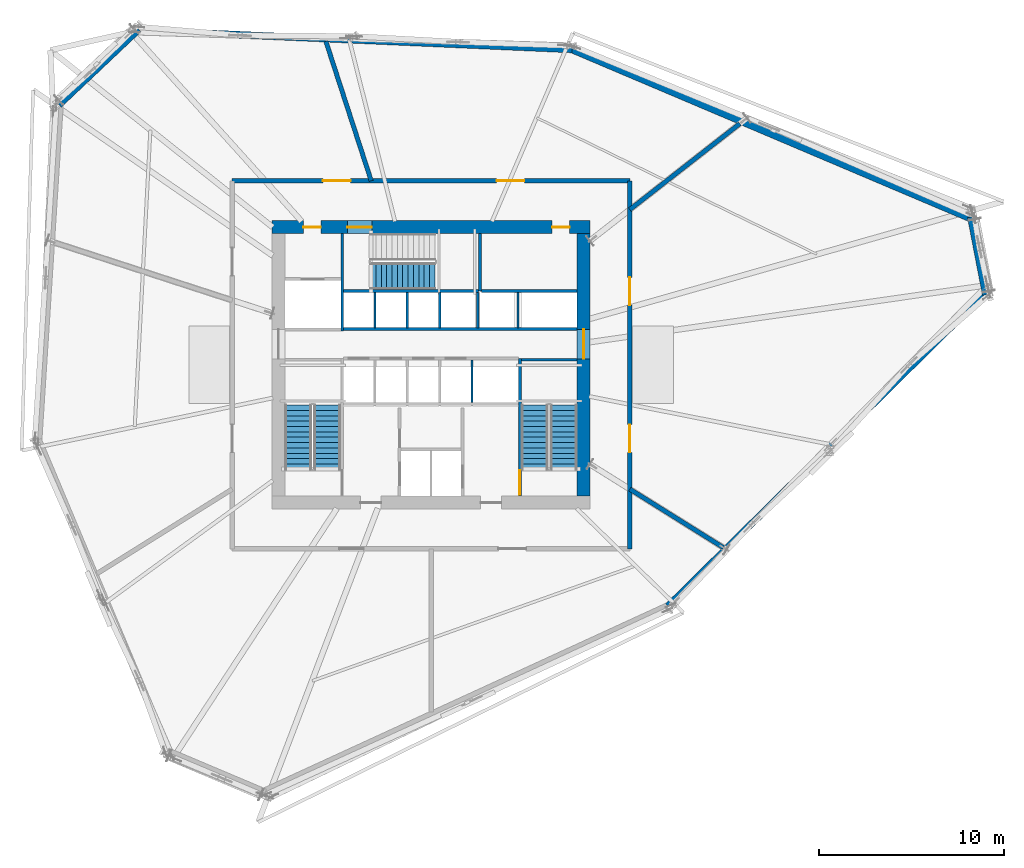
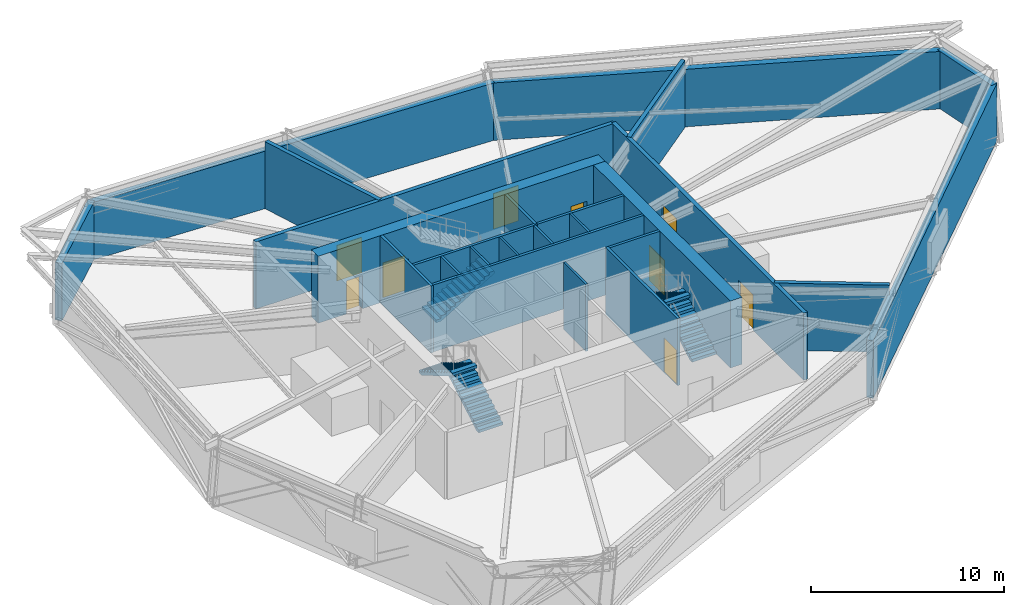
# One storey, part 10 of 15: 25 walls, 9 doors, 5 stair flights, 9 openings, 3 elements without a shape of their own.
"""IFC4 building model written with IfcOpenShell, lengths in metres."""

from ifc_helpers import new_model, si_unit, direction, frame, frame_2d, origin, place, context, subcontext, project, spatial, polyline, rectangle, outline, extrude, source, transform, mapped, material, layer, layer_set, type_object, type_shapes, element, fill, aggregate, save


model = new_model("IFC4")

# Units and contexts
model_context = context("Model", 3, precision=1e-05, world=origin(), true_north=direction((0.0, 1.0)))
body_context = subcontext(model_context, "Body", "Model", "MODEL_VIEW")
ifc_project = project(units=[si_unit("LENGTHUNIT", "METRE"), si_unit("AREAUNIT", "SQUARE_METRE"), si_unit("VOLUMEUNIT", "CUBIC_METRE"), si_unit("PLANEANGLEUNIT", "RADIAN"), si_unit("MASSUNIT", "GRAM", prefix="KILO")], contexts=[model_context])

# Site, building, storey
site_placement = place(None, origin())
site = spatial("IfcSite", under=ifc_project, at=site_placement, CompositionType="ELEMENT")
building_placement = place(site_placement, origin())
building = spatial("IfcBuilding", under=site, at=building_placement, Name="Olszyna Solenne Hotel", CompositionType="ELEMENT")
storey_placement = place(building_placement, frame((0.0, 0.0, 79.89990234375)))
storey = spatial("IfcBuildingStorey", under=building, at=storey_placement, Name="L20", CompositionType="ELEMENT", Elevation=79.89990234375)

# Wall, openings, doors
ifc_material_1 = material(Name="Concrete C60/75", Category="concrete")
ifc_layer_1 = layer(ifc_material_1, 0.699951171875, Name="Concrete C60/75")
ifc_layer_set_1 = layer_set([ifc_layer_1], Name="Concrete C60/75")
wall_type_1 = type_object("IfcWallType", Name="WL-CR700", PredefinedType="SHEAR", material=ifc_layer_set_1)
wall_1_placement = place(storey_placement, frame((29.39990234375, 34.050048828125, 0.0), z_axis=(0.0, 0.0, 1.0), x_axis=(1.0, 0.0, 0.0)))
wall_1 = element("IfcWall", 1, at=wall_1_placement, inside=storey, type_object=wall_type_1, Name="Core shear wall WL-CR700 CRW-L20-N", PredefinedType="SHEAR", context=body_context, shape_type="SweptSolid", body=[
    extrude(rectangle(XDim=17.2001953125, YDim=0.699951171875, at=frame_2d((8.60009765625, 0.0))), origin(), (0.0, 0.0, 1.0), 4.25),
])
opening_1_placement = place(wall_1_placement, frame((1.699951171875, 0.0, 0.0)))
opening_1 = element("IfcOpeningElement", 2, at=opening_1_placement, cuts=wall_1, Name="Opening SVD-L20-01", PredefinedType="OPENING", context=body_context, shape_type="SweptSolid", body=[
    extrude(rectangle(XDim=0.949951171875, YDim=2.10009765625, at=frame_2d((0.47509765625, 1.050048828125))), frame((0.0, 0.35986328125, 0.0), z_axis=(0.0, -1.0, 0.0), x_axis=(1.0, 0.0, 0.0)), (0.0, 0.0, 1.0), 0.719970703125),
])
opening_2_placement = place(wall_1_placement, frame((4.080078125, 0.0, 0.0)))
opening_2 = element("IfcOpeningElement", 3, at=opening_2_placement, cuts=wall_1, Name="Opening STD-L20-03", PredefinedType="OPENING", context=body_context, shape_type="SweptSolid", body=[
    extrude(rectangle(XDim=1.320068359375, YDim=2.199951171875, at=frame_2d((0.66015625, 1.10009765625))), frame((0.0, 0.35986328125, 0.0), z_axis=(0.0, -1.0, 0.0), x_axis=(1.0, 0.0, 0.0)), (0.0, 0.0, 1.0), 0.719970703125),
])
opening_3_placement = place(wall_1_placement, frame((15.14990234375, 0.0, 0.0)))
opening_3 = element("IfcOpeningElement", 4, at=opening_3_placement, cuts=wall_1, Name="Opening SVD-L20-BN", PredefinedType="OPENING", context=body_context, shape_type="SweptSolid", body=[
    extrude(rectangle(XDim=0.949951171875, YDim=2.10009765625, at=frame_2d((0.47509765625, 1.050048828125))), frame((0.0, 0.35986328125, 0.0), z_axis=(0.0, -1.0, 0.0), x_axis=(1.0, 0.0, 0.0)), (0.0, 0.0, 1.0), 0.719970703125),
])
ifc_material_2 = material(Name="Steel S355J2", Category="steel")
door_type_1 = type_object("IfcDoorType", Name="DR-ST1", OperationType="NOTDEFINED", PredefinedType="DOOR", material=ifc_material_2)
shared_shape_1 = source(origin(), body_context, "Body", "SweptSolid", [
    extrude(rectangle(XDim=1.320068359375, YDim=2.199951171875, at=frame_2d((0.66015625, 1.10009765625))), frame((0.0, 0.02490234375, 0.0), z_axis=(0.0, -1.0, 0.0), x_axis=(1.0, 0.0, 0.0)), (0.0, 0.0, 1.0), 0.050048828125),
])
type_shapes(door_type_1, [shared_shape_1])
door_1_placement = place(opening_2_placement, origin())
door_1 = element("IfcDoor", 5, at=door_1_placement, inside=storey, type_object=door_type_1, Name="Pressurised exit stair ST3 fire door STD-L20-03", OperationType="SINGLE_SWING_RIGHT", OverallHeight=2.199951171875, OverallWidth=1.320068359375, PredefinedType="DOOR", context=body_context, shape_type="MappedRepresentation", body=[
    mapped(shared_shape_1, transform((0.0, 0.0, 0.0), x_axis=(1.0, 0.0, 0.0), y_axis=(0.0, 1.0, 0.0), z_axis=(0.0, 0.0, 1.0), scale=1.0)),
])
fill(opening_2, door_1)
door_type_2 = type_object("IfcDoorType", Name="DR-SV1", OperationType="NOTDEFINED", PredefinedType="DOOR", material=ifc_material_2)
shared_shape_2 = source(origin(), body_context, "Body", "SweptSolid", [
    extrude(rectangle(XDim=0.949951171875, YDim=2.10009765625, at=frame_2d((0.47509765625, 1.050048828125))), frame((0.0, 0.02490234375, 0.0), z_axis=(0.0, -1.0, 0.0), x_axis=(1.0, 0.0, 0.0)), (0.0, 0.0, 1.0), 0.050048828125),
])
type_shapes(door_type_2, [shared_shape_2])
door_2_placement = place(opening_1_placement, origin())
door_2 = element("IfcDoor", 6, at=door_2_placement, inside=storey, type_object=door_type_2, Name="Service lift lobby fire door SVD-L20-01", OperationType="SINGLE_SWING_LEFT", OverallHeight=2.10009765625, OverallWidth=0.949951171875, PredefinedType="DOOR", context=body_context, shape_type="MappedRepresentation", body=[
    mapped(shared_shape_2, transform((0.0, 0.0, 0.0), x_axis=(1.0, 0.0, 0.0), y_axis=(0.0, 1.0, 0.0), z_axis=(0.0, 0.0, 1.0), scale=1.0)),
])
fill(opening_1, door_2)
door_3_placement = place(opening_3_placement, origin())
door_3 = element("IfcDoor", 7, at=door_3_placement, inside=storey, type_object=door_type_2, Name="Housekeeping core fire door SVD-L20-BN", OperationType="SINGLE_SWING_LEFT", OverallHeight=2.10009765625, OverallWidth=0.949951171875, PredefinedType="DOOR", context=body_context, shape_type="MappedRepresentation", body=[
    mapped(shared_shape_2, transform((0.0, 0.0, 0.0), x_axis=(1.0, 0.0, 0.0), y_axis=(0.0, 1.0, 0.0), z_axis=(0.0, 0.0, 1.0), scale=1.0)),
])
fill(opening_3, door_3)

# Wall, opening, door
wall_2_placement = place(storey_placement, frame((46.25, 33.699951171875, 0.0), z_axis=(0.0, 0.0, 1.0), x_axis=(0.0, -1.0, 0.0)))
wall_2 = element("IfcWall", 8, at=wall_2_placement, inside=storey, type_object=wall_type_1, Name="Core shear wall WL-CR700 CRW-L20-E", PredefinedType="SHEAR", context=body_context, shape_type="SweptSolid", body=[
    extrude(rectangle(XDim=14.199951171875, YDim=0.699951171875, at=frame_2d((7.10009765625, 0.0))), origin(), (0.0, 0.0, 1.0), 4.25),
])
opening_4_placement = place(wall_2_placement, frame((5.179931640625, 0.0, 0.0)))
opening_4 = element("IfcOpeningElement", 9, at=opening_4_placement, cuts=wall_2, Name="Opening LHD-L20-E", PredefinedType="OPENING", context=body_context, shape_type="SweptSolid", body=[
    extrude(rectangle(XDim=1.60009765625, YDim=2.199951171875, at=frame_2d((0.800048828125, 1.10009765625))), frame((0.0, 0.35986328125, 0.0), z_axis=(0.0, -1.0, 0.0), x_axis=(1.0, 0.0, 0.0)), (0.0, 0.0, 1.0), 0.719970703125),
])
ifc_material_3 = material(Name="Timber hardwood", Category="wood")
door_type_3 = type_object("IfcDoorType", Name="DR-CR1", OperationType="DOUBLE_DOOR_SINGLE_SWING", PredefinedType="DOOR", material=ifc_material_3)
shared_shape_3 = source(origin(), body_context, "Body", "SweptSolid", [
    extrude(rectangle(XDim=1.60009765625, YDim=2.199951171875, at=frame_2d((0.800048828125, 1.10009765625))), frame((0.0, 0.02490234375, 0.0), z_axis=(0.0, -1.0, 0.0), x_axis=(1.0, 0.0, 0.0)), (0.0, 0.0, 1.0), 0.050048828125),
])
type_shapes(door_type_3, [shared_shape_3])
door_4_placement = place(opening_4_placement, origin())
door_4 = element("IfcDoor", 10, at=door_4_placement, inside=storey, type_object=door_type_3, Name="Passenger lift lobby East fire door LHD-L20-E", OperationType="DOUBLE_DOOR_SINGLE_SWING", OverallHeight=2.199951171875, OverallWidth=1.60009765625, PredefinedType="DOOR", context=body_context, shape_type="MappedRepresentation", body=[
    mapped(shared_shape_3, transform((0.0, 0.0, 0.0), x_axis=(1.0, 0.0, 0.0), y_axis=(0.0, 1.0, 0.0), z_axis=(0.0, 0.0, 1.0), scale=1.0)),
])
fill(opening_4, door_4)

# Walls
ifc_material_4 = material(Name="Terracotta cladding on precast concrete C45/55", Category="masonry")
ifc_layer_2 = layer(ifc_material_4, 0.3798828125, Name="Terracotta cladding on precast concrete C45/55")
ifc_layer_set_2 = layer_set([ifc_layer_2], Name="Terracotta cladding on precast concrete C45/55")
wall_type_2 = type_object("IfcWallType", Name="WL-EX380", PredefinedType="SOLIDWALL", material=ifc_layer_set_2)
wall_3_placement = place(storey_placement, frame((17.87353515625, 40.668212890625, 0.0), z_axis=(0.0, 0.0, 1.0), x_axis=(0.726536612443, 0.687127754336, 0.0)))
element("IfcWall", 11, at=wall_3_placement, inside=storey, type_object=wall_type_2, Name="Exterior terracotta-precast frame wall WL-EX380 EW-L20-05", PredefinedType="SOLIDWALL", context=body_context, shape_type="SweptSolid", body=[
    extrude(rectangle(XDim=5.941162109375, YDim=0.3798828125, at=frame_2d((2.970703125, 0.0))), origin(), (0.0, 0.0, 1.0), 3.64208984375),
])
wall_4_placement = place(storey_placement, frame((22.051025390625, 44.698486328125, 0.0), z_axis=(0.0, 0.0, 1.0), x_axis=(0.999039086375, -0.043828117637, 0.0)))
element("IfcWall", 12, at=wall_4_placement, inside=storey, type_object=wall_type_2, Name="Exterior terracotta-precast frame wall WL-EX380 EW-L20-06", PredefinedType="SOLIDWALL", context=body_context, shape_type="SweptSolid", body=[
    extrude(rectangle(XDim=23.607421875, YDim=0.3798828125, at=frame_2d((11.8037109375, 0.0))), origin(), (0.0, 0.0, 1.0), 3.64208984375),
])
wall_5_placement = place(storey_placement, frame((45.56982421875, 43.6787109375, 0.0), z_axis=(0.0, 0.0, 1.0), x_axis=(0.920635630861, -0.390422892758, 0.0)))
element("IfcWall", 13, at=wall_5_placement, inside=storey, type_object=wall_type_2, Name="Exterior terracotta-precast frame wall WL-EX380 EW-L20-07", PredefinedType="SOLIDWALL", context=body_context, shape_type="SweptSolid", body=[
    extrude(rectangle(XDim=23.607177734375, YDim=0.3798828125, at=frame_2d((11.8037109375, 0.0))), origin(), (0.0, 0.0, 1.0), 3.64208984375),
])
wall_6_placement = place(storey_placement, frame((67.191162109375, 34.600830078125, 0.0), z_axis=(0.0, 0.0, 1.0), x_axis=(0.189990031934, -0.981786019337, 0.0)))
element("IfcWall", 14, at=wall_6_placement, inside=storey, type_object=wall_type_2, Name="Exterior terracotta-precast frame wall WL-EX380 EW-L20-08", PredefinedType="SOLIDWALL", context=body_context, shape_type="SweptSolid", body=[
    extrude(rectangle(XDim=4.286865234375, YDim=0.3798828125, at=frame_2d((2.1435546875, 0.0))), origin(), (0.0, 0.0, 1.0), 3.64208984375),
])
wall_7_placement = place(storey_placement, frame((68.05859375, 30.5634765625, 0.0), z_axis=(0.0, 0.0, 1.0), x_axis=(-0.711738982303, -0.70244403412, 0.0)))
element("IfcWall", 15, at=wall_7_placement, inside=storey, type_object=wall_type_2, Name="Exterior terracotta-precast frame wall WL-EX380 EW-L20-09", PredefinedType="SOLIDWALL", context=body_context, shape_type="SweptSolid", body=[
    extrude(rectangle(XDim=24.21728515625, YDim=0.3798828125, at=frame_2d((12.108642578125, 0.0))), origin(), (0.0, 0.0, 1.0), 3.64208984375),
])
ifc_material_5 = material(Name="Acoustic gypsum partition", Category="gypsum")
ifc_layer_3 = layer(ifc_material_5, 0.125, Name="Acoustic gypsum partition")
ifc_layer_set_3 = layer_set([ifc_layer_3], Name="Acoustic gypsum partition")
wall_type_3 = type_object("IfcWallType", Name="WL-PT125", PredefinedType="PARTITIONING", material=ifc_layer_set_3)
wall_8_placement = place(storey_placement, frame((40.215087890625, 24.56005859375, 0.0), z_axis=(0.0, 0.0, 1.0), x_axis=(0.0, 1.0, 0.0)))
element("IfcWall", 16, at=wall_8_placement, inside=storey, type_object=wall_type_3, Name="Core shaft compartment wall CW-L20-DIVS402", PredefinedType="PARTITIONING", context=body_context, shape_type="SweptSolid", body=[
    extrude(rectangle(XDim=2.31005859375, YDim=0.125, at=frame_2d((1.155029296875, 0.0))), origin(), (0.0, 0.0, 1.0), 4.25),
])
for number, where, z_axis, x_axis, name in (
    (17, (34.965087890625, 28.60009765625, 0.0), (0.0, 0.0, 1.0), (0.0, 1.0, 0.0), "Core shaft compartment wall CW-L20-DIVN349"),
    (18, (36.715087890625, 28.60009765625, 0.0), (0.0, 0.0, 1.0), (0.0, 1.0, 0.0), "Core shaft compartment wall CW-L20-DIVN367"),
    (19, (38.465087890625, 28.60009765625, 0.0), (0.0, 0.0, 1.0), (0.0, 1.0, 0.0), "Core shaft compartment wall CW-L20-DIVN384"),
    (20, (40.52490234375, 28.60009765625, 0.0), (0.0, 0.0, 1.0), (0.0, 1.0, 0.0), "Core shaft compartment wall CW-L20-DIVEX405"),
    (21, (42.699951171875, 28.60009765625, 0.0), (0.0, 0.0, 1.0), (0.0, 1.0, 0.0), "Core shaft compartment wall CW-L20-DIVEX427"),
):
    element("IfcWall", number, at=place(storey_placement, frame(where, z_axis=z_axis, x_axis=x_axis)), inside=storey, type_object=wall_type_3, Name=name, PredefinedType="PARTITIONING", context=body_context, shape_type="SweptSolid", body=[
        extrude(rectangle(XDim=1.919921875, YDim=0.125, at=frame_2d((0.9599609375, 0.0))), origin(), (0.0, 0.0, 1.0), 4.25),
    ])

# Wall, opening, door
ifc_layer_4 = layer(ifc_material_5, 0.159912109375, Name="Acoustic gypsum partition")
ifc_layer_set_4 = layer_set([ifc_layer_4], Name="Acoustic gypsum partition")
wall_type_4 = type_object("IfcWallType", Name="WL-PT160", PredefinedType="PARTITIONING", material=ifc_layer_set_4)
wall_9_placement = place(storey_placement, frame((42.800048828125, 26.9599609375, 0.0), z_axis=(0.0, 0.0, 1.0), x_axis=(0.0, -1.0, 0.0)))
wall_9 = element("IfcWall", 22, at=wall_9_placement, inside=storey, type_object=wall_type_4, Name="Core shaft compartment wall CW-L20-ST2W", PredefinedType="PARTITIONING", context=body_context, shape_type="SweptSolid", body=[
    extrude(rectangle(XDim=7.4599609375, YDim=0.159912109375, at=frame_2d((3.72998046875, 0.0))), origin(), (0.0, 0.0, 1.0), 4.25),
])
opening_5_placement = place(wall_9_placement, frame((6.06005859375, 0.0, 0.0)))
opening_5 = element("IfcOpeningElement", 23, at=opening_5_placement, cuts=wall_9, Name="Opening STD-L20-02", PredefinedType="OPENING", context=body_context, shape_type="SweptSolid", body=[
    extrude(rectangle(XDim=1.320068359375, YDim=2.199951171875, at=frame_2d((0.66015625, 1.10009765625))), frame((0.0, 0.08984375, 0.0), z_axis=(0.0, -1.0, 0.0), x_axis=(1.0, 0.0, 0.0)), (0.0, 0.0, 1.0), 0.179931640625),
])
door_5_placement = place(opening_5_placement, origin())
door_5 = element("IfcDoor", 24, at=door_5_placement, inside=storey, type_object=door_type_1, Name="Pressurised exit stair ST2 fire door STD-L20-02", OperationType="SINGLE_SWING_RIGHT", OverallHeight=2.199951171875, OverallWidth=1.320068359375, PredefinedType="DOOR", context=body_context, shape_type="MappedRepresentation", body=[
    mapped(shared_shape_1, transform((0.0, 0.0, 0.0), x_axis=(1.0, 0.0, 0.0), y_axis=(0.0, 1.0, 0.0), z_axis=(0.0, 0.0, 1.0), scale=1.0)),
])
fill(opening_5, door_5)

# Walls
wall_10_placement = place(storey_placement, frame((42.8798828125, 26.8798828125, 0.0), z_axis=(0.0, 0.0, 1.0), x_axis=(1.0, 0.0, 0.0)))
element("IfcWall", 25, at=wall_10_placement, inside=storey, type_object=wall_type_4, Name="Core shaft compartment wall CW-L20-ST2N", PredefinedType="PARTITIONING", context=body_context, shape_type="SweptSolid", body=[
    extrude(rectangle(XDim=3.02001953125, YDim=0.159912109375, at=frame_2d((1.510009765625, 0.0))), origin(), (0.0, 0.0, 1.0), 4.25),
])
wall_11_placement = place(storey_placement, frame((33.280029296875, 30.60009765625, 0.0), z_axis=(0.0, 0.0, 1.0), x_axis=(1.0, 0.0, 0.0)))
element("IfcWall", 26, at=wall_11_placement, inside=storey, type_object=wall_type_4, Name="Core shaft compartment wall CW-L20-ST3S", PredefinedType="PARTITIONING", context=body_context, shape_type="SweptSolid", body=[
    extrude(rectangle(XDim=7.300048828125, YDim=0.159912109375, at=frame_2d((3.64990234375, 0.0))), origin(), (0.0, 0.0, 1.0), 4.25),
])
wall_12_placement = place(storey_placement, frame((40.659912109375, 30.60009765625, 0.0), z_axis=(0.0, 0.0, 1.0), x_axis=(0.0, 1.0, 0.0)))
element("IfcWall", 27, at=wall_12_placement, inside=storey, type_object=wall_type_4, Name="Core shaft compartment wall CW-L20-ST3E", PredefinedType="PARTITIONING", context=body_context, shape_type="SweptSolid", body=[
    extrude(rectangle(XDim=3.099853515625, YDim=0.159912109375, at=frame_2d((1.5498046875, 0.0))), origin(), (0.0, 0.0, 1.0), 4.25),
])
wall_13_placement = place(storey_placement, frame((33.199951171875, 28.43994140625, 0.0), z_axis=(0.0, 0.0, 1.0), x_axis=(0.0, 1.0, 0.0)))
element("IfcWall", 28, at=wall_13_placement, inside=storey, type_object=wall_type_4, Name="Core shaft compartment wall CW-L20-SV1E", PredefinedType="PARTITIONING", context=body_context, shape_type="SweptSolid", body=[
    extrude(rectangle(XDim=5.260009765625, YDim=0.159912109375, at=frame_2d((2.6298828125, 0.0))), origin(), (0.0, 0.0, 1.0), 4.25),
])
wall_14_placement = place(storey_placement, frame((33.280029296875, 28.5400390625, 0.0), z_axis=(0.0, 0.0, 1.0), x_axis=(1.0, 0.0, 0.0)))
element("IfcWall", 29, at=wall_14_placement, inside=storey, type_object=wall_type_4, Name="Core shaft compartment wall CW-L20-LRN", PredefinedType="PARTITIONING", context=body_context, shape_type="SweptSolid", body=[
    extrude(rectangle(XDim=12.619873046875, YDim=0.159912109375, at=frame_2d((6.31005859375, 0.0))), origin(), (0.0, 0.0, 1.0), 4.25),
])
wall_15_placement = place(storey_placement, frame((40.719970703125, 30.60009765625, 0.0), z_axis=(0.0, 0.0, 1.0), x_axis=(1.0, 0.0, 0.0)))
element("IfcWall", 30, at=wall_15_placement, inside=storey, type_object=wall_type_4, Name="Core shaft compartment wall CW-L20-LRNTOP", PredefinedType="PARTITIONING", context=body_context, shape_type="SweptSolid", body=[
    extrude(rectangle(XDim=5.179931640625, YDim=0.159912109375, at=frame_2d((2.58984375, 0.0))), origin(), (0.0, 0.0, 1.0), 4.25),
])
ifc_layer_5 = layer(ifc_material_5, 0.239990234375, Name="Acoustic gypsum partition")
ifc_layer_set_5 = layer_set([ifc_layer_5], Name="Acoustic gypsum partition")
wall_type_5 = type_object("IfcWallType", Name="WL-PT240", PredefinedType="PARTITIONING", material=ifc_layer_set_5)
wall_16_placement = place(storey_placement, frame((48.75, 19.8828125, 0.0), z_axis=(0.0, 0.0, 1.0), x_axis=(0.848037336034, -0.529936483639, 0.0)))
element("IfcWall", 31, at=wall_16_placement, inside=storey, type_object=wall_type_5, Name="Interior acoustic partition WL-PT240 PW-L20-1135", PredefinedType="PARTITIONING", context=body_context, shape_type="SweptSolid", body=[
    extrude(rectangle(XDim=5.973388671875, YDim=0.239990234375, at=frame_2d((2.98681640625, 0.0))), origin(), (0.0, 0.0, 1.0), 4.25),
])
wall_17_placement = place(storey_placement, frame((48.75, 34.998779296875, 0.0), z_axis=(0.0, 0.0, 1.0), x_axis=(0.788016035998, 0.615654714113, 0.0)))
element("IfcWall", 32, at=wall_17_placement, inside=storey, type_object=wall_type_5, Name="Interior acoustic partition WL-PT240 PW-L20-1136", PredefinedType="PARTITIONING", context=body_context, shape_type="SweptSolid", body=[
    extrude(rectangle(XDim=7.546875, YDim=0.239990234375, at=frame_2d((3.7734375, 0.0))), origin(), (0.0, 0.0, 1.0), 4.25),
])
wall_18_placement = place(storey_placement, frame((34.76708984375, 36.550048828125, 0.0), z_axis=(0.0, 0.0, 1.0), x_axis=(-0.309029730832, 0.951052377875, 0.0)))
element("IfcWall", 33, at=wall_18_placement, inside=storey, type_object=wall_type_5, Name="Interior acoustic partition WL-PT240 PW-L20-1137", PredefinedType="PARTITIONING", context=body_context, shape_type="SweptSolid", body=[
    extrude(rectangle(XDim=7.9365234375, YDim=0.239990234375, at=frame_2d((3.96826171875, 0.0))), origin(), (0.0, 0.0, 1.0), 4.25),
])

# Wall, openings, doors
wall_19_placement = place(storey_placement, frame((27.25, 36.550048828125, 0.0), z_axis=(0.0, 0.0, 1.0), x_axis=(1.0, 0.0, 0.0)))
wall_19 = element("IfcWall", 34, at=wall_19_placement, inside=storey, type_object=wall_type_5, Name="Interior acoustic partition WL-PT240 PW-L20-1140", PredefinedType="PARTITIONING", context=body_context, shape_type="SweptSolid", body=[
    extrude(rectangle(XDim=21.5, YDim=0.239990234375, at=frame_2d((10.75, 0.0))), origin(), (0.0, 0.0, 1.0), 4.25),
])
opening_6_placement = place(wall_19_placement, frame((4.89990234375, 0.0, 0.0)))
opening_6 = element("IfcOpeningElement", 35, at=opening_6_placement, cuts=wall_19, Name="Opening DR-L20-0261", PredefinedType="OPENING", context=body_context, shape_type="SweptSolid", body=[
    extrude(rectangle(XDim=1.5, YDim=2.25, at=frame_2d((0.75, 1.125))), frame((0.0, 0.1298828125, 0.0), z_axis=(0.0, -1.0, 0.0), x_axis=(1.0, 0.0, 0.0)), (0.0, 0.0, 1.0), 0.260009765625),
])
opening_7_placement = place(wall_19_placement, frame((14.300048828125, 0.0, 0.0)))
opening_7 = element("IfcOpeningElement", 36, at=opening_7_placement, cuts=wall_19, Name="Opening DR-L20-0262", PredefinedType="OPENING", context=body_context, shape_type="SweptSolid", body=[
    extrude(rectangle(XDim=1.5, YDim=2.25, at=frame_2d((0.75, 1.125))), frame((0.0, 0.1298828125, 0.0), z_axis=(0.0, -1.0, 0.0), x_axis=(1.0, 0.0, 0.0)), (0.0, 0.0, 1.0), 0.260009765625),
])
door_type_4 = type_object("IfcDoorType", Name="DR-PL1", OperationType="DOUBLE_DOOR_SINGLE_SWING", PredefinedType="DOOR", material=ifc_material_2)
shared_shape_4 = source(origin(), body_context, "Body", "SweptSolid", [
    extrude(rectangle(XDim=1.5, YDim=2.25, at=frame_2d((0.75, 1.125))), frame((0.0, 0.02490234375, 0.0), z_axis=(0.0, -1.0, 0.0), x_axis=(1.0, 0.0, 0.0)), (0.0, 0.0, 1.0), 0.050048828125),
])
type_shapes(door_type_4, [shared_shape_4])
door_6_placement = place(opening_6_placement, origin())
door_6 = element("IfcDoor", 37, at=door_6_placement, inside=storey, type_object=door_type_4, Name="Refuge / Plant Fire Door DR-L20-0261", OperationType="DOUBLE_DOOR_SINGLE_SWING", OverallHeight=2.25, OverallWidth=1.5, PredefinedType="DOOR", context=body_context, shape_type="MappedRepresentation", body=[
    mapped(shared_shape_4, transform((0.0, 0.0, 0.0), x_axis=(1.0, 0.0, 0.0), y_axis=(0.0, 1.0, 0.0), z_axis=(0.0, 0.0, 1.0), scale=1.0)),
])
fill(opening_6, door_6)
door_7_placement = place(opening_7_placement, origin())
door_7 = element("IfcDoor", 38, at=door_7_placement, inside=storey, type_object=door_type_4, Name="Refuge / Plant Fire Door DR-L20-0262", OperationType="DOUBLE_DOOR_SINGLE_SWING", OverallHeight=2.25, OverallWidth=1.5, PredefinedType="DOOR", context=body_context, shape_type="MappedRepresentation", body=[
    mapped(shared_shape_4, transform((0.0, 0.0, 0.0), x_axis=(1.0, 0.0, 0.0), y_axis=(0.0, 1.0, 0.0), z_axis=(0.0, 0.0, 1.0), scale=1.0)),
])
fill(opening_7, door_7)

wall_20_placement = place(storey_placement, frame((48.75, 16.64990234375, 0.0), z_axis=(0.0, 0.0, 1.0), x_axis=(0.0, 1.0, 0.0)))
wall_20 = element("IfcWall", 39, at=wall_20_placement, inside=storey, type_object=wall_type_5, Name="Interior acoustic partition WL-PT240 PW-L20-1142", PredefinedType="PARTITIONING", context=body_context, shape_type="SweptSolid", body=[
    extrude(rectangle(XDim=19.900146484375, YDim=0.239990234375, at=frame_2d((9.9501953125, 0.0))), origin(), (0.0, 0.0, 1.0), 4.25),
])
opening_8_placement = place(wall_20_placement, frame((5.219970703125, 0.0, 0.0)))
opening_8 = element("IfcOpeningElement", 40, at=opening_8_placement, cuts=wall_20, Name="Opening DR-L20-0265", PredefinedType="OPENING", context=body_context, shape_type="SweptSolid", body=[
    extrude(rectangle(XDim=1.5, YDim=2.25, at=frame_2d((0.75, 1.125))), frame((0.0, 0.1298828125, 0.0), z_axis=(0.0, -1.0, 0.0), x_axis=(1.0, 0.0, 0.0)), (0.0, 0.0, 1.0), 0.260009765625),
])
opening_9_placement = place(wall_20_placement, frame((13.179931640625, 0.0, 0.0)))
opening_9 = element("IfcOpeningElement", 41, at=opening_9_placement, cuts=wall_20, Name="Opening DR-L20-0266", PredefinedType="OPENING", context=body_context, shape_type="SweptSolid", body=[
    extrude(rectangle(XDim=1.5, YDim=2.25, at=frame_2d((0.75, 1.125))), frame((0.0, 0.1298828125, 0.0), z_axis=(0.0, -1.0, 0.0), x_axis=(1.0, 0.0, 0.0)), (0.0, 0.0, 1.0), 0.260009765625),
])
door_8_placement = place(opening_8_placement, origin())
door_8 = element("IfcDoor", 42, at=door_8_placement, inside=storey, type_object=door_type_4, Name="Refuge / Plant Fire Door DR-L20-0265", OperationType="DOUBLE_DOOR_SINGLE_SWING", OverallHeight=2.25, OverallWidth=1.5, PredefinedType="DOOR", context=body_context, shape_type="MappedRepresentation", body=[
    mapped(shared_shape_4, transform((0.0, 0.0, 0.0), x_axis=(1.0, 0.0, 0.0), y_axis=(0.0, 1.0, 0.0), z_axis=(0.0, 0.0, 1.0), scale=1.0)),
])
fill(opening_8, door_8)
door_9_placement = place(opening_9_placement, origin())
door_9 = element("IfcDoor", 43, at=door_9_placement, inside=storey, type_object=door_type_4, Name="Refuge / Plant Fire Door DR-L20-0266", OperationType="DOUBLE_DOOR_SINGLE_SWING", OverallHeight=2.25, OverallWidth=1.5, PredefinedType="DOOR", context=body_context, shape_type="MappedRepresentation", body=[
    mapped(shared_shape_4, transform((0.0, 0.0, 0.0), x_axis=(1.0, 0.0, 0.0), y_axis=(0.0, 1.0, 0.0), z_axis=(0.0, 0.0, 1.0), scale=1.0)),
])
fill(opening_9, door_9)

# Stair, stair flights
ifc_material_6 = material(Name="Concrete C40/50", Category="concrete")
stair_type = type_object("IfcStairType", Name="STR-C1", PredefinedType="TWO_QUARTER_WINDING_STAIR", material=ifc_material_6)
stair_1_placement = place(storey_placement, origin())
stair_1 = element("IfcStair", 44, at=stair_1_placement, inside=storey, type_object=stair_type, Name="L20 ST1", PredefinedType="TWO_QUARTER_WINDING_STAIR")
stair_flight_type = type_object("IfcStairFlightType", Name="FLT-C1", PredefinedType="STRAIGHT", material=ifc_material_6)
stair_flight_1_placement = place(storey_placement, frame((32.39501953125, 20.949951171875, 0.0), z_axis=(0.0, 0.0, 1.0), x_axis=(0.0, 1.0, 0.0)))
stair_flight_1 = element("IfcStairFlight", 45, at=stair_flight_1_placement, type_object=stair_flight_type, Name="ST1 flight 1", NumberOfRisers=13, NumberOfTreads=12, PredefinedType="STRAIGHT", RiserHeight=0.173076923, TreadLength=0.29, context=body_context, shape_type="SweptSolid", body=[
    extrude(outline(polyline([(0.0, 0.0), (0.0, 0.173095703125), (0.2900390625, 0.173095703125), (0.2900390625, 0.34619140625), (0.580078125, 0.34619140625), (0.580078125, 0.519287109375), (0.8701171875, 0.519287109375), (0.8701171875, 0.6923828125), (1.159912109375, 0.6923828125), (1.159912109375, 0.865478515625), (1.449951171875, 0.865478515625), (1.449951171875, 1.03857421875), (1.739990234375, 1.03857421875), (1.739990234375, 1.21142578125), (2.030029296875, 1.21142578125), (2.030029296875, 1.384521484375), (2.320068359375, 1.384521484375), (2.320068359375, 1.5576171875), (2.610107421875, 1.5576171875), (2.610107421875, 1.730712890625), (2.89990234375, 1.730712890625), (2.89990234375, 1.90380859375), (3.18994140625, 1.90380859375), (3.18994140625, 2.076904296875), (3.47998046875, 2.076904296875), (3.47998046875, 2.25), (3.47998046875, 1.90234375), (0.29248046875, 0.0), (0.0, 0.0)])), frame((0.0, 0.72509765625, 0.0), z_axis=(0.0, -1.0, 0.0), x_axis=(1.0, 0.0, 0.0)), (0.0, 0.0, 1.0), 1.449951171875),
])
stair_flight_2_placement = place(storey_placement, frame((30.824951171875, 24.429931640625, 2.25), z_axis=(0.0, 0.0, 1.0), x_axis=(0.0, -1.0, 0.0)))
stair_flight_2 = element("IfcStairFlight", 46, at=stair_flight_2_placement, type_object=stair_flight_type, Name="ST1 flight 2", NumberOfRisers=13, NumberOfTreads=12, PredefinedType="STRAIGHT", RiserHeight=0.173076923, TreadLength=0.29, context=body_context, shape_type="SweptSolid", body=[
    extrude(outline(polyline([(0.0, 0.0), (0.0, 0.173095703125), (0.2900390625, 0.173095703125), (0.2900390625, 0.34619140625), (0.580078125, 0.34619140625), (0.580078125, 0.519287109375), (0.8701171875, 0.519287109375), (0.8701171875, 0.6923828125), (1.159912109375, 0.6923828125), (1.159912109375, 0.865478515625), (1.449951171875, 0.865478515625), (1.449951171875, 1.03857421875), (1.739990234375, 1.03857421875), (1.739990234375, 1.21142578125), (2.030029296875, 1.21142578125), (2.030029296875, 1.384521484375), (2.320068359375, 1.384521484375), (2.320068359375, 1.5576171875), (2.610107421875, 1.5576171875), (2.610107421875, 1.730712890625), (2.89990234375, 1.730712890625), (2.89990234375, 1.90380859375), (3.18994140625, 1.90380859375), (3.18994140625, 2.076904296875), (3.47998046875, 2.076904296875), (3.47998046875, 2.25), (3.47998046875, 1.90234375), (0.29248046875, 0.0), (0.0, 0.0)])), frame((0.0, 0.72509765625, 0.0), z_axis=(0.0, -1.0, 0.0), x_axis=(1.0, 0.0, 0.0)), (0.0, 0.0, 1.0), 1.449951171875),
])
aggregate(stair_1, [stair_flight_1, stair_flight_2])

stair_2_placement = place(storey_placement, origin())
stair_2 = element("IfcStair", 47, at=stair_2_placement, inside=storey, type_object=stair_type, Name="L20 ST2", PredefinedType="TWO_QUARTER_WINDING_STAIR")
stair_flight_3_placement = place(storey_placement, frame((45.175048828125, 20.949951171875, 0.0), z_axis=(0.0, 0.0, 1.0), x_axis=(0.0, 1.0, 0.0)))
stair_flight_3 = element("IfcStairFlight", 48, at=stair_flight_3_placement, type_object=stair_flight_type, Name="ST2 flight 1", NumberOfRisers=13, NumberOfTreads=12, PredefinedType="STRAIGHT", RiserHeight=0.173076923, TreadLength=0.29, context=body_context, shape_type="SweptSolid", body=[
    extrude(outline(polyline([(0.0, 0.0), (0.0, 0.173095703125), (0.2900390625, 0.173095703125), (0.2900390625, 0.34619140625), (0.580078125, 0.34619140625), (0.580078125, 0.519287109375), (0.8701171875, 0.519287109375), (0.8701171875, 0.6923828125), (1.159912109375, 0.6923828125), (1.159912109375, 0.865478515625), (1.449951171875, 0.865478515625), (1.449951171875, 1.03857421875), (1.739990234375, 1.03857421875), (1.739990234375, 1.21142578125), (2.030029296875, 1.21142578125), (2.030029296875, 1.384521484375), (2.320068359375, 1.384521484375), (2.320068359375, 1.5576171875), (2.610107421875, 1.5576171875), (2.610107421875, 1.730712890625), (2.89990234375, 1.730712890625), (2.89990234375, 1.90380859375), (3.18994140625, 1.90380859375), (3.18994140625, 2.076904296875), (3.47998046875, 2.076904296875), (3.47998046875, 2.25), (3.47998046875, 1.90234375), (0.29248046875, 0.0), (0.0, 0.0)])), frame((0.0, 0.72509765625, 0.0), z_axis=(0.0, -1.0, 0.0), x_axis=(1.0, 0.0, 0.0)), (0.0, 0.0, 1.0), 1.449951171875),
])
stair_flight_4_placement = place(storey_placement, frame((43.60498046875, 24.429931640625, 2.25), z_axis=(0.0, 0.0, 1.0), x_axis=(0.0, -1.0, 0.0)))
stair_flight_4 = element("IfcStairFlight", 49, at=stair_flight_4_placement, type_object=stair_flight_type, Name="ST2 flight 2", NumberOfRisers=13, NumberOfTreads=12, PredefinedType="STRAIGHT", RiserHeight=0.173076923, TreadLength=0.29, context=body_context, shape_type="SweptSolid", body=[
    extrude(outline(polyline([(0.0, 0.0), (0.0, 0.173095703125), (0.2900390625, 0.173095703125), (0.2900390625, 0.34619140625), (0.580078125, 0.34619140625), (0.580078125, 0.519287109375), (0.8701171875, 0.519287109375), (0.8701171875, 0.6923828125), (1.159912109375, 0.6923828125), (1.159912109375, 0.865478515625), (1.449951171875, 0.865478515625), (1.449951171875, 1.03857421875), (1.739990234375, 1.03857421875), (1.739990234375, 1.21142578125), (2.030029296875, 1.21142578125), (2.030029296875, 1.384521484375), (2.320068359375, 1.384521484375), (2.320068359375, 1.5576171875), (2.610107421875, 1.5576171875), (2.610107421875, 1.730712890625), (2.89990234375, 1.730712890625), (2.89990234375, 1.90380859375), (3.18994140625, 1.90380859375), (3.18994140625, 2.076904296875), (3.47998046875, 2.076904296875), (3.47998046875, 2.25), (3.47998046875, 1.90234375), (0.29248046875, 0.0), (0.0, 0.0)])), frame((0.0, 0.72509765625, 0.0), z_axis=(0.0, -1.0, 0.0), x_axis=(1.0, 0.0, 0.0)), (0.0, 0.0, 1.0), 1.449951171875),
])
aggregate(stair_2, [stair_flight_3, stair_flight_4])

# Stair, stair flight
stair_3_placement = place(storey_placement, origin())
stair_3 = element("IfcStair", 50, at=stair_3_placement, inside=storey, type_object=stair_type, Name="L20 ST3", PredefinedType="TWO_QUARTER_WINDING_STAIR")
stair_flight_5_placement = place(storey_placement, frame((34.72998046875, 31.405029296875, 0.0), z_axis=(0.0, 0.0, 1.0), x_axis=(1.0, 0.0, 0.0)))
stair_flight_5 = element("IfcStairFlight", 51, at=stair_flight_5_placement, type_object=stair_flight_type, Name="ST3 flight 1", NumberOfRisers=13, NumberOfTreads=12, PredefinedType="STRAIGHT", RiserHeight=0.173076923, TreadLength=0.29, context=body_context, shape_type="SweptSolid", body=[
    extrude(outline(polyline([(0.0, 0.0), (0.0, 0.173095703125), (0.2900390625, 0.173095703125), (0.2900390625, 0.34619140625), (0.580078125, 0.34619140625), (0.580078125, 0.519287109375), (0.8701171875, 0.519287109375), (0.8701171875, 0.6923828125), (1.159912109375, 0.6923828125), (1.159912109375, 0.865478515625), (1.449951171875, 0.865478515625), (1.449951171875, 1.03857421875), (1.739990234375, 1.03857421875), (1.739990234375, 1.21142578125), (2.030029296875, 1.21142578125), (2.030029296875, 1.384521484375), (2.320068359375, 1.384521484375), (2.320068359375, 1.5576171875), (2.610107421875, 1.5576171875), (2.610107421875, 1.730712890625), (2.89990234375, 1.730712890625), (2.89990234375, 1.90380859375), (3.18994140625, 1.90380859375), (3.18994140625, 2.076904296875), (3.47998046875, 2.076904296875), (3.47998046875, 2.25), (3.47998046875, 1.90234375), (0.29248046875, 0.0), (0.0, 0.0)])), frame((0.0, 0.72509765625, 0.0), z_axis=(0.0, -1.0, 0.0), x_axis=(1.0, 0.0, 0.0)), (0.0, 0.0, 1.0), 1.449951171875),
])
aggregate(stair_3, [stair_flight_5])

save(model, "model.ifc")
